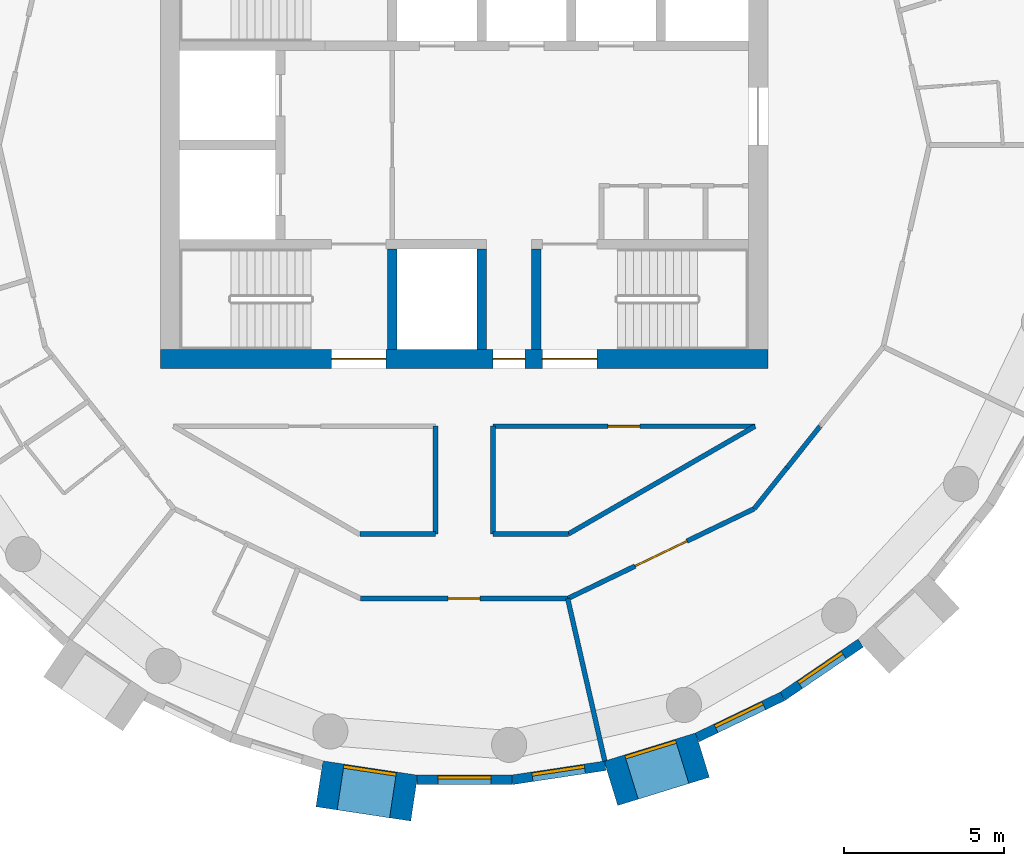
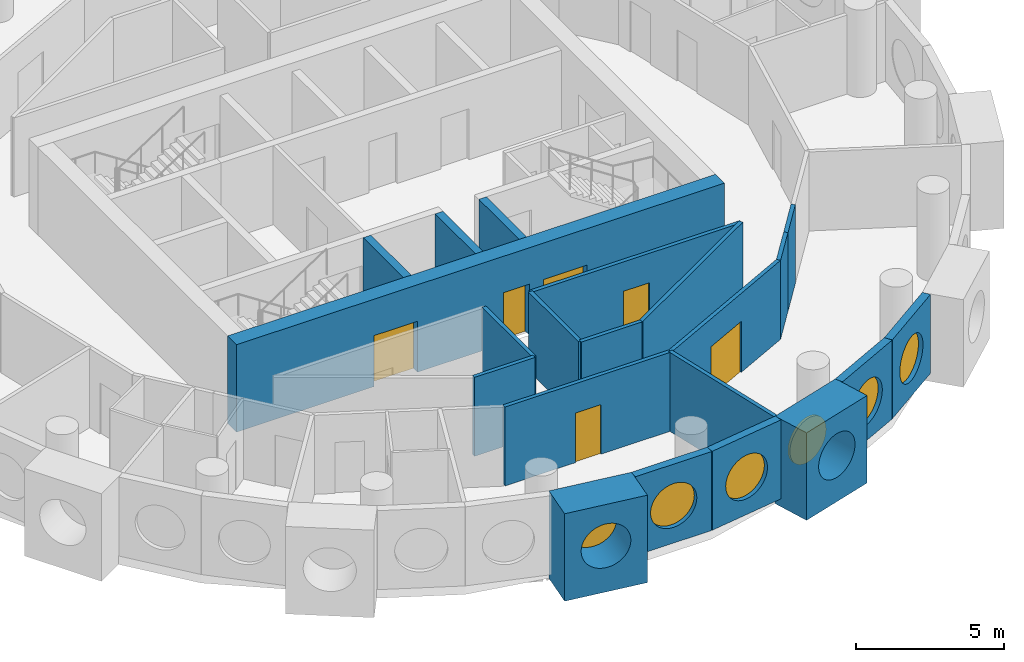
# One storey, part 4 of 13: 21 walls, 6 doors, 6 windows, 12 openings.
"""IFC4 building model written with IfcOpenShell, lengths in metres."""

from ifc_helpers import new_model, si_unit, direction, frame, frame_2d, origin, origin_2d, place, context, subcontext, project, spatial, rectangle, circle, extrude, material, layer, layer_set, type_object, element, fill, save


model = new_model("IFC4")

# Units and contexts
model_context = context("Model", 3, precision=1e-05, world=origin(), true_north=direction((0.0, 1.0)))
body_context = subcontext(model_context, "Body", "Model", "MODEL_VIEW")
ifc_project = project(units=[si_unit("LENGTHUNIT", "METRE"), si_unit("AREAUNIT", "SQUARE_METRE"), si_unit("VOLUMEUNIT", "CUBIC_METRE"), si_unit("PLANEANGLEUNIT", "RADIAN"), si_unit("MASSUNIT", "GRAM", prefix="KILO")], contexts=[model_context])

# Site, building, storey
site_placement = place(None, origin())
site = spatial("IfcSite", under=ifc_project, at=site_placement, CompositionType="ELEMENT")
building_placement = place(site_placement, origin())
building = spatial("IfcBuilding", under=site, at=building_placement, Name="Tracery Tower", CompositionType="ELEMENT")
storey_placement = place(building_placement, frame((0.0, 0.0, 256.199951171875)))
storey = spatial("IfcBuildingStorey", under=building, at=storey_placement, Name="L66", CompositionType="ELEMENT", Elevation=256.199951171875)

# Wall, openings, doors
ifc_material_1 = material(Name="Concrete C40/50", Category="concrete")
ifc_layer_1 = layer(ifc_material_1, 0.60009765625)
ifc_layer_set_1 = layer_set([ifc_layer_1], Name="Core wall 600 C40")
wall_type_1 = type_object("IfcWallType", Name="Core wall 600 C40", PredefinedType="SOLIDWALL", material=ifc_layer_set_1)
wall_1_placement = place(storey_placement, frame((-9.5, -6.699951171875, 0.0), z_axis=(0.0, 0.0, 1.0), x_axis=(1.0, 0.0, 0.0)))
wall_1 = element("IfcWall", 1, at=wall_1_placement, inside=storey, type_object=wall_type_1, Name="L66 outer S", PredefinedType="SOLIDWALL", context=body_context, shape_type="SweptSolid", body=[
    extrude(rectangle(XDim=19.0, YDim=0.60009765625, at=frame_2d((9.5, 0.0))), origin(), (0.0, 0.0, 1.0), 3.60009765625),
])
opening_1_placement = place(wall_1_placement, frame((10.39990234375, 0.0, 0.0)))
opening_1 = element("IfcOpeningElement", 2, at=opening_1_placement, cuts=wall_1, Name="Opening KD16", PredefinedType="OPENING", context=body_context, shape_type="SweptSolid", body=[
    extrude(rectangle(XDim=1.0, YDim=2.10009765625, at=frame_2d((0.5, 1.050048828125))), frame((0.0, 0.300048828125, 0.0), z_axis=(0.0, -1.0, 0.0), x_axis=(1.0, 0.0, 0.0)), (0.0, 0.0, 1.0), 0.60009765625),
])
opening_2_placement = place(wall_1_placement, frame((5.35009765625, 0.0, 0.0)))
opening_2 = element("IfcOpeningElement", 3, at=opening_2_placement, cuts=wall_1, Name="Opening KD3", PredefinedType="OPENING", context=body_context, shape_type="SweptSolid", body=[
    extrude(rectangle(XDim=1.699951171875, YDim=2.10009765625, at=frame_2d((0.85009765625, 1.050048828125))), frame((0.0, 0.300048828125, 0.0), z_axis=(0.0, -1.0, 0.0), x_axis=(1.0, 0.0, 0.0)), (0.0, 0.0, 1.0), 0.60009765625),
])
opening_3_placement = place(wall_1_placement, frame((11.949951171875, 0.0, 0.0)))
opening_3 = element("IfcOpeningElement", 4, at=opening_3_placement, cuts=wall_1, Name="Opening KD3", PredefinedType="OPENING", context=body_context, shape_type="SweptSolid", body=[
    extrude(rectangle(XDim=1.699951171875, YDim=2.10009765625, at=frame_2d((0.85009765625, 1.050048828125))), frame((0.0, 0.300048828125, 0.0), z_axis=(0.0, -1.0, 0.0), x_axis=(1.0, 0.0, 0.0)), (0.0, 0.0, 1.0), 0.60009765625),
])
ifc_material_2 = material(Name="Steel fire door", Category="steel")
door_type_1 = type_object("IfcDoorType", Name="Core exit door 1000", OperationType="NOTDEFINED", PredefinedType="DOOR", material=ifc_material_2)
door_1_placement = place(opening_1_placement, origin())
door_1 = element("IfcDoor", 5, at=door_1_placement, inside=storey, type_object=door_type_1, Name="Core exit door", OperationType="SINGLE_SWING_LEFT", OverallHeight=2.10009765625, OverallWidth=1.0, PredefinedType="DOOR", context=body_context, shape_type="SweptSolid", body=[
    extrude(rectangle(XDim=1.0, YDim=2.10009765625, at=frame_2d((0.5, 1.050048828125))), frame((0.0, 0.02490234375, 0.0), z_axis=(0.0, -1.0, 0.0), x_axis=(1.0, 0.0, 0.0)), (0.0, 0.0, 1.0), 0.050048828125),
])
fill(opening_1, door_1)
ifc_material_3 = material(Name="Steel fire door", Category="steel")
door_type_2 = type_object("IfcDoorType", Name="Core stair door 1700 double", OperationType="NOTDEFINED", PredefinedType="DOOR", material=ifc_material_3)
door_2_placement = place(opening_2_placement, origin())
door_2 = element("IfcDoor", 6, at=door_2_placement, inside=storey, type_object=door_type_2, Name="Stair door ST1 exit", OperationType="DOUBLE_DOOR_SINGLE_SWING", OverallHeight=2.10009765625, OverallWidth=1.699951171875, PredefinedType="DOOR", context=body_context, shape_type="SweptSolid", body=[
    extrude(rectangle(XDim=1.699951171875, YDim=2.10009765625, at=frame_2d((0.85009765625, 1.050048828125))), frame((0.0, 0.02490234375, 0.0), z_axis=(0.0, -1.0, 0.0), x_axis=(1.0, 0.0, 0.0)), (0.0, 0.0, 1.0), 0.050048828125),
])
fill(opening_2, door_2)
door_3_placement = place(opening_3_placement, origin())
door_3 = element("IfcDoor", 7, at=door_3_placement, inside=storey, type_object=door_type_2, Name="Stair door ST2 exit", OperationType="DOUBLE_DOOR_SINGLE_SWING", OverallHeight=2.10009765625, OverallWidth=1.699951171875, PredefinedType="DOOR", context=body_context, shape_type="SweptSolid", body=[
    extrude(rectangle(XDim=1.699951171875, YDim=2.10009765625, at=frame_2d((0.85009765625, 1.050048828125))), frame((0.0, 0.02490234375, 0.0), z_axis=(0.0, -1.0, 0.0), x_axis=(1.0, 0.0, 0.0)), (0.0, 0.0, 1.0), 0.050048828125),
])
fill(opening_3, door_3)

# Wall, opening, window
ifc_material_4 = material(Name="Precast concrete C50/60", Category="concrete")
ifc_layer_2 = layer(ifc_material_4, 1.449951171875)
ifc_layer_set_2 = layer_set([ifc_layer_2], Name="Deep-set bay unit 3000 x 3600, slab edge 350")
wall_type_2 = type_object("IfcWallType", Name="Deep-set bay unit 3000 x 3600, slab edge 350", PredefinedType="ELEMENTEDWALL", material=ifc_layer_set_2)
wall_2_placement = place(storey_placement, frame((-4.52978515625, -19.9892578125, -0.349853515625), z_axis=(0.0, 0.0, 1.0), x_axis=(0.988836445254, -0.149004981587, 0.0)))
wall_2 = element("IfcWall", 8, at=wall_2_placement, inside=storey, type_object=wall_type_2, Name="Deep-set bay unit 31 at L66", PredefinedType="ELEMENTEDWALL", context=body_context, shape_type="SweptSolid", body=[
    extrude(rectangle(XDim=3.0, YDim=1.449951171875, at=frame_2d((1.5, 0.0))), origin(), (0.0, 0.0, 1.0), 3.599853515625),
])
opening_4_placement = place(wall_2_placement, frame((1.5, 0.0, 1.89990234375)))
opening_4 = element("IfcOpeningElement", 9, at=opening_4_placement, cuts=wall_2, Name="Opening WN1", PredefinedType="OPENING", context=body_context, shape_type="SweptSolid", body=[
    extrude(circle(Radius=0.9000244140625, at=origin_2d()), frame((0.0, 0.73486328125, 0.0), z_axis=(0.0, -1.0, 0.0), x_axis=(1.0, 0.0, 0.0)), (0.0, 0.0, 1.0), 1.469970703125),
])
ifc_material_5 = material(Name="Aluminium frame with tinted double glazing", Category="aluminium")
window_type = type_object("IfcWindowType", Name="Round window 1800", PartitioningType="SINGLE_PANEL", PredefinedType="WINDOW", material=ifc_material_5)
window_1_placement = place(opening_4_placement, origin())
window_1 = element("IfcWindow", 10, at=window_1_placement, inside=storey, type_object=window_type, Name="Round window 31 at L66", OverallHeight=1.800048828125, OverallWidth=1.800048828125, PartitioningType="SINGLE_PANEL", PredefinedType="WINDOW", context=body_context, shape_type="SweptSolid", body=[
    extrude(circle(Radius=0.9000244140625, at=origin_2d()), frame((0.0, 0.69482421875, 0.0), z_axis=(0.0, -1.0, 0.0), x_axis=(1.0, 0.0, 0.0)), (0.0, 0.0, 1.0), 0.10009765625),
])
fill(opening_4, window_1)

wall_3_placement = place(storey_placement, frame((4.591796875, -19.97509765625, -0.349853515625), z_axis=(0.0, 0.0, 1.0), x_axis=(0.955571139978, 0.294760574774, 0.0)))
wall_3 = element("IfcWall", 11, at=wall_3_placement, inside=storey, type_object=wall_type_2, Name="Deep-set bay unit 34 at L66", PredefinedType="ELEMENTEDWALL", context=body_context, shape_type="SweptSolid", body=[
    extrude(rectangle(XDim=3.0, YDim=1.449951171875, at=frame_2d((1.5, 0.0))), origin(), (0.0, 0.0, 1.0), 3.599853515625),
])
opening_5_placement = place(wall_3_placement, frame((1.5, 0.0, 1.89990234375)))
opening_5 = element("IfcOpeningElement", 12, at=opening_5_placement, cuts=wall_3, Name="Opening WN1", PredefinedType="OPENING", context=body_context, shape_type="SweptSolid", body=[
    extrude(circle(Radius=0.9000244140625, at=origin_2d()), frame((0.0, 0.73486328125, 0.0), z_axis=(0.0, -1.0, 0.0), x_axis=(1.0, 0.0, 0.0)), (0.0, 0.0, 1.0), 1.469970703125),
])
window_2_placement = place(opening_5_placement, origin())
window_2 = element("IfcWindow", 13, at=window_2_placement, inside=storey, type_object=window_type, Name="Round window 34 at L66", OverallHeight=1.800048828125, OverallWidth=1.800048828125, PartitioningType="SINGLE_PANEL", PredefinedType="WINDOW", context=body_context, shape_type="SweptSolid", body=[
    extrude(circle(Radius=0.9000244140625, at=origin_2d()), frame((0.0, 0.69482421875, 0.0), z_axis=(0.0, -1.0, 0.0), x_axis=(1.0, 0.0, 0.0)), (0.0, 0.0, 1.0), 0.10009765625),
])
fill(opening_5, window_2)

ifc_material_6 = material(Name="Precast concrete C50/60", Category="concrete")
ifc_layer_3 = layer(ifc_material_6, 0.300048828125)
ifc_layer_set_3 = layer_set([ifc_layer_3], Name="Facade panel 3000 x 3250")
wall_type_3 = type_object("IfcWallType", Name="Facade panel 3000 x 3250", PredefinedType="SOLIDWALL", material=ifc_layer_set_3)
wall_4_placement = place(storey_placement, frame((-1.473388671875, -19.865966796875, 0.0), z_axis=(0.0, 0.0, 1.0), x_axis=(1.0, 0.0, 0.0)))
wall_4 = element("IfcWall", 14, at=wall_4_placement, inside=storey, type_object=wall_type_3, Name="Facade panel 32 at L66", PredefinedType="SOLIDWALL", context=body_context, shape_type="SweptSolid", body=[
    extrude(rectangle(XDim=2.962158203125, YDim=0.300048828125, at=frame_2d((1.48095703125, 0.0))), origin(), (0.0, 0.0, 1.0), 3.25),
])
opening_6_placement = place(wall_4_placement, frame((1.48095703125, 0.0, 1.5498046875)))
opening_6 = element("IfcOpeningElement", 15, at=opening_6_placement, cuts=wall_4, Name="Opening WN1", PredefinedType="OPENING", context=body_context, shape_type="SweptSolid", body=[
    extrude(circle(Radius=0.9000244140625, at=origin_2d()), frame((0.0, 0.159912109375, 0.0), z_axis=(0.0, -1.0, 0.0), x_axis=(1.0, 0.0, 0.0)), (0.0, 0.0, 1.0), 0.320068359375),
])
window_3_placement = place(opening_6_placement, origin())
window_3 = element("IfcWindow", 16, at=window_3_placement, inside=storey, type_object=window_type, Name="Round window 32 at L66", OverallHeight=1.800048828125, OverallWidth=1.800048828125, PartitioningType="SINGLE_PANEL", PredefinedType="WINDOW", context=body_context, shape_type="SweptSolid", body=[
    extrude(circle(Radius=0.9000244140625, at=origin_2d()), frame((0.0, 0.1201171875, 0.0), z_axis=(0.0, -1.0, 0.0), x_axis=(1.0, 0.0, 0.0)), (0.0, 0.0, 1.0), 0.10009765625),
])
fill(opening_6, window_3)

wall_5_placement = place(storey_placement, frame((1.48876953125, -19.865966796875, 0.0), z_axis=(0.0, 0.0, 1.0), x_axis=(0.988835775663, 0.149009425104, 0.0)))
wall_5 = element("IfcWall", 17, at=wall_5_placement, inside=storey, type_object=wall_type_3, Name="Facade panel 33 at L66", PredefinedType="SOLIDWALL", context=body_context, shape_type="SweptSolid", body=[
    extrude(rectangle(XDim=2.962158203125, YDim=0.300048828125, at=frame_2d((1.48095703125, 0.0))), origin(), (0.0, 0.0, 1.0), 3.25),
])
opening_7_placement = place(wall_5_placement, frame((1.48095703125, 0.0, 1.5498046875)))
opening_7 = element("IfcOpeningElement", 18, at=opening_7_placement, cuts=wall_5, Name="Opening WN1", PredefinedType="OPENING", context=body_context, shape_type="SweptSolid", body=[
    extrude(circle(Radius=0.9000244140625, at=origin_2d()), frame((0.0, 0.159912109375, 0.0), z_axis=(0.0, -1.0, 0.0), x_axis=(1.0, 0.0, 0.0)), (0.0, 0.0, 1.0), 0.320068359375),
])
window_4_placement = place(opening_7_placement, origin())
window_4 = element("IfcWindow", 19, at=window_4_placement, inside=storey, type_object=window_type, Name="Round window 33 at L66", OverallHeight=1.800048828125, OverallWidth=1.800048828125, PartitioningType="SINGLE_PANEL", PredefinedType="WINDOW", context=body_context, shape_type="SweptSolid", body=[
    extrude(circle(Radius=0.9000244140625, at=origin_2d()), frame((0.0, 0.1201171875, 0.0), z_axis=(0.0, -1.0, 0.0), x_axis=(1.0, 0.0, 0.0)), (0.0, 0.0, 1.0), 0.10009765625),
])
fill(opening_7, window_4)

wall_6_placement = place(storey_placement, frame((7.2919921875, -18.5380859375, 0.0), z_axis=(0.0, 0.0, 1.0), x_axis=(0.90095513435, 0.433912255978, 0.0)))
wall_6 = element("IfcWall", 20, at=wall_6_placement, inside=storey, type_object=wall_type_3, Name="Facade panel 35 at L66", PredefinedType="SOLIDWALL", context=body_context, shape_type="SweptSolid", body=[
    extrude(rectangle(XDim=2.96240234375, YDim=0.300048828125, at=frame_2d((1.481201171875, 0.0))), origin(), (0.0, 0.0, 1.0), 3.25),
])
opening_8_placement = place(wall_6_placement, frame((1.48095703125, 0.0, 1.5498046875)))
opening_8 = element("IfcOpeningElement", 21, at=opening_8_placement, cuts=wall_6, Name="Opening WN1", PredefinedType="OPENING", context=body_context, shape_type="SweptSolid", body=[
    extrude(circle(Radius=0.9000244140625, at=origin_2d()), frame((0.0, 0.159912109375, 0.0), z_axis=(0.0, -1.0, 0.0), x_axis=(1.0, 0.0, 0.0)), (0.0, 0.0, 1.0), 0.320068359375),
])
window_5_placement = place(opening_8_placement, origin())
window_5 = element("IfcWindow", 22, at=window_5_placement, inside=storey, type_object=window_type, Name="Round window 35 at L66", OverallHeight=1.800048828125, OverallWidth=1.800048828125, PartitioningType="SINGLE_PANEL", PredefinedType="WINDOW", context=body_context, shape_type="SweptSolid", body=[
    extrude(circle(Radius=0.9000244140625, at=origin_2d()), frame((0.0, 0.1201171875, 0.0), z_axis=(0.0, -1.0, 0.0), x_axis=(1.0, 0.0, 0.0)), (0.0, 0.0, 1.0), 0.10009765625),
])
fill(opening_8, window_5)

wall_7_placement = place(storey_placement, frame((9.9609375, -17.252685546875, 0.0), z_axis=(0.0, 0.0, 1.0), x_axis=(0.826236061068, 0.563324037646, 0.0)))
wall_7 = element("IfcWall", 23, at=wall_7_placement, inside=storey, type_object=wall_type_3, Name="Facade panel 36 at L66", PredefinedType="SOLIDWALL", context=body_context, shape_type="SweptSolid", body=[
    extrude(rectangle(XDim=2.962158203125, YDim=0.300048828125, at=frame_2d((1.48095703125, 0.0))), origin(), (0.0, 0.0, 1.0), 3.25),
])
opening_9_placement = place(wall_7_placement, frame((1.48095703125, 0.0, 1.5498046875)))
opening_9 = element("IfcOpeningElement", 24, at=opening_9_placement, cuts=wall_7, Name="Opening WN1", PredefinedType="OPENING", context=body_context, shape_type="SweptSolid", body=[
    extrude(circle(Radius=0.9000244140625, at=origin_2d()), frame((0.0, 0.159912109375, 0.0), z_axis=(0.0, -1.0, 0.0), x_axis=(1.0, 0.0, 0.0)), (0.0, 0.0, 1.0), 0.320068359375),
])
window_6_placement = place(opening_9_placement, origin())
window_6 = element("IfcWindow", 25, at=window_6_placement, inside=storey, type_object=window_type, Name="Round window 36 at L66", OverallHeight=1.800048828125, OverallWidth=1.800048828125, PartitioningType="SINGLE_PANEL", PredefinedType="WINDOW", context=body_context, shape_type="SweptSolid", body=[
    extrude(circle(Radius=0.9000244140625, at=origin_2d()), frame((0.0, 0.1201171875, 0.0), z_axis=(0.0, -1.0, 0.0), x_axis=(1.0, 0.0, 0.0)), (0.0, 0.0, 1.0), 0.10009765625),
])
fill(opening_9, window_6)

# Wall
ifc_material_7 = material(Name="Plasterboard on steel studs", Category="steel")
ifc_layer_4 = layer(ifc_material_7, 0.14990234375)
ifc_layer_set_4 = layer_set([ifc_layer_4], Name="Partition 150 acoustic unit wall")
wall_type_4 = type_object("IfcWallType", Name="Partition 150 acoustic unit wall", PredefinedType="PARTITIONING", material=ifc_layer_set_4)
wall_8_placement = place(storey_placement, frame((3.239013671875, -14.19189453125, 0.0), z_axis=(0.0, 0.0, 1.0), x_axis=(0.222612505682, -0.974907007008, 0.0)))
element("IfcWall", 26, at=wall_8_placement, inside=storey, type_object=wall_type_4, Name="Unit wall RC3-080", PredefinedType="PARTITIONING", context=body_context, shape_type="SweptSolid", body=[
    extrude(rectangle(XDim=5.21484375, YDim=0.14990234375, at=frame_2d((2.607421875, 0.0))), origin(), (0.0, 0.0, 1.0), 3.25),
])

# Wall, opening, door
ifc_material_8 = material(Name="Plasterboard on steel studs", Category="steel")
ifc_layer_5 = layer(ifc_material_8, 0.14990234375)
ifc_layer_set_5 = layer_set([ifc_layer_5], Name="Partition 150 corridor wall")
wall_type_5 = type_object("IfcWallType", Name="Partition 150 corridor wall", PredefinedType="PARTITIONING", material=ifc_layer_set_5)
wall_9_placement = place(storey_placement, frame((0.89599609375, -8.800048828125, 0.0), z_axis=(0.0, 0.0, 1.0), x_axis=(1.0, 0.0, 0.0)))
wall_9 = element("IfcWall", 27, at=wall_9_placement, inside=storey, type_object=wall_type_5, Name="Corridor wall RC3-014", PredefinedType="PARTITIONING", context=body_context, shape_type="SweptSolid", body=[
    extrude(rectangle(XDim=8.20458984375, YDim=0.14990234375, at=frame_2d((4.102294921875, 0.0))), origin(), (0.0, 0.0, 1.0), 3.25),
])
opening_10_placement = place(wall_9_placement, frame((3.597900390625, 0.0, 0.0)))
opening_10 = element("IfcOpeningElement", 28, at=opening_10_placement, cuts=wall_9, Name="Opening RC3-04", PredefinedType="OPENING", context=body_context, shape_type="SweptSolid", body=[
    extrude(rectangle(XDim=1.0, YDim=2.0400390625, at=frame_2d((0.5, 1.02001953125))), frame((0.0, 0.074951171875, 0.0), z_axis=(0.0, -1.0, 0.0), x_axis=(1.0, 0.0, 0.0)), (0.0, 0.0, 1.0), 0.14990234375),
])
ifc_material_9 = material(Name="Timber door leaf", Category="wood")
door_type_3 = type_object("IfcDoorType", Name="Door communal room 1000", OperationType="NOTDEFINED", PredefinedType="DOOR", material=ifc_material_9)
door_4_placement = place(opening_10_placement, origin())
door_4 = element("IfcDoor", 29, at=door_4_placement, inside=storey, type_object=door_type_3, Name="Communal room door RC3-04", OperationType="SINGLE_SWING_RIGHT", OverallHeight=2.0400390625, OverallWidth=1.0, PredefinedType="DOOR", context=body_context, shape_type="SweptSolid", body=[
    extrude(rectangle(XDim=1.0, YDim=2.0400390625, at=frame_2d((0.5, 1.02001953125))), frame((0.0, 0.02490234375, 0.0), z_axis=(0.0, -1.0, 0.0), x_axis=(1.0, 0.0, 0.0)), (0.0, 0.0, 1.0), 0.050048828125),
])
fill(opening_10, door_4)

# Walls
wall_10_placement = place(storey_placement, frame((10.10107421875, -10.10107421875, 0.0), z_axis=(0.0, 0.0, 1.0), x_axis=(0.623098344652, 0.782143498913, 0.0)))
element("IfcWall", 30, at=wall_10_placement, inside=storey, type_object=wall_type_5, Name="Corridor wall RC3-020", PredefinedType="PARTITIONING", context=body_context, shape_type="SweptSolid", body=[
    extrude(rectangle(XDim=1.660888671875, YDim=0.14990234375, at=frame_2d((0.83056640625, 0.0))), origin(), (0.0, 0.0, 1.0), 3.25),
])
wall_11_placement = place(storey_placement, frame((-3.260986328125, -12.1708984375, 0.0), z_axis=(0.0, 0.0, 1.0), x_axis=(1.0, 0.0, 0.0)))
element("IfcWall", 31, at=wall_11_placement, inside=storey, type_object=wall_type_5, Name="Corridor wall RC3-038", PredefinedType="PARTITIONING", context=body_context, shape_type="SweptSolid", body=[
    extrude(rectangle(XDim=2.361083984375, YDim=0.14990234375, at=frame_2d((1.1806640625, 0.0))), origin(), (0.0, 0.0, 1.0), 3.25),
])
for number, where, z_axis, x_axis, name in (
    (32, (-0.89990234375, -12.1708984375, 0.0), (0.0, 0.0, 1.0), (0.0, 1.0, 0.0), "Corridor wall RC3-039"),
    (33, (0.89990234375, -12.1708984375, 0.0), (0.0, 0.0, 1.0), (0.0, 1.0, 0.0), "Corridor wall RC3-040"),
):
    element("IfcWall", number, at=place(storey_placement, frame(where, z_axis=z_axis, x_axis=x_axis)), inside=storey, type_object=wall_type_5, Name=name, PredefinedType="PARTITIONING", context=body_context, shape_type="SweptSolid", body=[
        extrude(rectangle(XDim=3.370849609375, YDim=0.14990234375, at=frame_2d((1.685546875, 0.0))), origin(), (0.0, 0.0, 1.0), 3.25),
    ])
wall_12_placement = place(storey_placement, frame((0.89990234375, -12.1708984375, 0.0), z_axis=(0.0, 0.0, 1.0), x_axis=(1.0, 0.0, 0.0)))
element("IfcWall", 34, at=wall_12_placement, inside=storey, type_object=wall_type_5, Name="Corridor wall RC3-041", PredefinedType="PARTITIONING", context=body_context, shape_type="SweptSolid", body=[
    extrude(rectangle(XDim=2.361083984375, YDim=0.14990234375, at=frame_2d((1.1806640625, 0.0))), origin(), (0.0, 0.0, 1.0), 3.25),
])
wall_13_placement = place(storey_placement, frame((3.260986328125, -12.1708984375, 0.0), z_axis=(0.0, 0.0, 1.0), x_axis=(0.866066809554, 0.499928276245, 0.0)))
element("IfcWall", 35, at=wall_13_placement, inside=storey, type_object=wall_type_5, Name="Corridor wall RC3-042", PredefinedType="PARTITIONING", context=body_context, shape_type="SweptSolid", body=[
    extrude(rectangle(XDim=6.74267578125, YDim=0.14990234375, at=frame_2d((3.371337890625, 0.0))), origin(), (0.0, 0.0, 1.0), 3.25),
])

# Wall, opening, door
wall_14_placement = place(storey_placement, frame((-3.239013671875, -14.19189453125, 0.0), z_axis=(0.0, 0.0, 1.0), x_axis=(1.0, 0.0, 0.0)))
wall_14 = element("IfcWall", 36, at=wall_14_placement, inside=storey, type_object=wall_type_5, Name="Corridor wall RC3-044", PredefinedType="PARTITIONING", context=body_context, shape_type="SweptSolid", body=[
    extrude(rectangle(XDim=6.47802734375, YDim=0.14990234375, at=frame_2d((3.239013671875, 0.0))), origin(), (0.0, 0.0, 1.0), 3.25),
])
opening_11_placement = place(wall_14_placement, frame((2.739013671875, 0.0, 0.0)))
opening_11 = element("IfcOpeningElement", 37, at=opening_11_placement, cuts=wall_14, Name="Opening RC3-24", PredefinedType="OPENING", context=body_context, shape_type="SweptSolid", body=[
    extrude(rectangle(XDim=1.0, YDim=2.0400390625, at=frame_2d((0.5, 1.02001953125))), frame((0.0, 0.074951171875, 0.0), z_axis=(0.0, -1.0, 0.0), x_axis=(1.0, 0.0, 0.0)), (0.0, 0.0, 1.0), 0.14990234375),
])
door_5_placement = place(opening_11_placement, origin())
door_5 = element("IfcDoor", 38, at=door_5_placement, inside=storey, type_object=door_type_3, Name="Communal room door RC3-24", OperationType="SINGLE_SWING_RIGHT", OverallHeight=2.0400390625, OverallWidth=1.0, PredefinedType="DOOR", context=body_context, shape_type="SweptSolid", body=[
    extrude(rectangle(XDim=1.0, YDim=2.0400390625, at=frame_2d((0.5, 1.02001953125))), frame((0.0, 0.02490234375, 0.0), z_axis=(0.0, -1.0, 0.0), x_axis=(1.0, 0.0, 0.0)), (0.0, 0.0, 1.0), 0.050048828125),
])
fill(opening_11, door_5)

# Wall
wall_15_placement = place(storey_placement, frame((9.075927734375, -11.381103515625, 0.0), z_axis=(0.0, 0.0, 1.0), x_axis=(0.623805208652, 0.781579849829, 0.0)))
element("IfcWall", 39, at=wall_15_placement, inside=storey, type_object=wall_type_5, Name="Corridor wall RC3-045", PredefinedType="PARTITIONING", context=body_context, shape_type="SweptSolid", body=[
    extrude(rectangle(XDim=1.64013671875, YDim=0.14990234375, at=frame_2d((0.820068359375, 0.0))), origin(), (0.0, 0.0, 1.0), 3.25),
])

# Wall, opening, door
wall_16_placement = place(storey_placement, frame((3.239013671875, -14.19189453125, 0.0), z_axis=(0.0, 0.0, 1.0), x_axis=(0.900976027191, 0.433868872388, 0.0)))
wall_16 = element("IfcWall", 40, at=wall_16_placement, inside=storey, type_object=wall_type_5, Name="Corridor wall RC3-046", PredefinedType="PARTITIONING", context=body_context, shape_type="SweptSolid", body=[
    extrude(rectangle(XDim=6.478515625, YDim=0.14990234375, at=frame_2d((3.2392578125, 0.0))), origin(), (0.0, 0.0, 1.0), 3.25),
])
opening_12_placement = place(wall_16_placement, frame((2.339599609375, 0.0, 0.0)))
opening_12 = element("IfcOpeningElement", 41, at=opening_12_placement, cuts=wall_16, Name="Opening RC3-25", PredefinedType="OPENING", context=body_context, shape_type="SweptSolid", body=[
    extrude(rectangle(XDim=1.800048828125, YDim=2.10009765625, at=frame_2d((0.89990234375, 1.050048828125))), frame((0.0, 0.074951171875, 0.0), z_axis=(0.0, -1.0, 0.0), x_axis=(1.0, 0.0, 0.0)), (0.0, 0.0, 1.0), 0.14990234375),
])
ifc_material_10 = material(Name="Timber door leaf", Category="wood")
door_type_4 = type_object("IfcDoorType", Name="Door double lounge 1800", OperationType="NOTDEFINED", PredefinedType="DOOR", material=ifc_material_10)
door_6_placement = place(opening_12_placement, origin())
door_6 = element("IfcDoor", 42, at=door_6_placement, inside=storey, type_object=door_type_4, Name="Double lounge door RC3-25", OperationType="DOUBLE_DOOR_SINGLE_SWING", OverallHeight=2.10009765625, OverallWidth=1.800048828125, PredefinedType="DOOR", context=body_context, shape_type="SweptSolid", body=[
    extrude(rectangle(XDim=1.800048828125, YDim=2.10009765625, at=frame_2d((0.89990234375, 1.050048828125))), frame((0.0, 0.02490234375, 0.0), z_axis=(0.0, -1.0, 0.0), x_axis=(1.0, 0.0, 0.0)), (0.0, 0.0, 1.0), 0.050048828125),
])
fill(opening_12, door_6)

# Walls
ifc_material_11 = material(Name="Concrete C40/50", Category="concrete")
ifc_layer_6 = layer(ifc_material_11, 0.300048828125)
ifc_layer_set_6 = layer_set([ifc_layer_6], Name="Shaft wall 300 C40")
wall_type_6 = type_object("IfcWallType", Name="Shaft wall 300 C40", PredefinedType="SOLIDWALL", material=ifc_layer_set_6)
wall_17_placement = place(storey_placement, frame((0.550048828125, -6.39990234375, 0.0), z_axis=(0.0, 0.0, 1.0), x_axis=(0.0, 1.0, 0.0)))
element("IfcWall", 43, at=wall_17_placement, inside=storey, type_object=wall_type_6, Name="L66 OB2 E", PredefinedType="SOLIDWALL", context=body_context, shape_type="SweptSolid", body=[
    extrude(rectangle(XDim=3.14990234375, YDim=0.300048828125, at=frame_2d((1.574951171875, 0.0))), origin(), (0.0, 0.0, 1.0), 3.25),
])
ifc_material_12 = material(Name="Concrete C40/50", Category="concrete")
ifc_layer_7 = layer(ifc_material_12, 0.300048828125)
ifc_layer_set_7 = layer_set([ifc_layer_7], Name="Stair wall 300 C40")
wall_type_7 = type_object("IfcWallType", Name="Stair wall 300 C40", PredefinedType="SOLIDWALL", material=ifc_layer_set_7)
for number, where, z_axis, x_axis, name in (
    (44, (-2.25, -6.39990234375, 0.0), (0.0, 0.0, 1.0), (0.0, 1.0, 0.0), "L66 ST1 E"),
    (45, (2.25, -6.39990234375, 0.0), (0.0, 0.0, 1.0), (0.0, 1.0, 0.0), "L66 ST2 W"),
):
    element("IfcWall", number, at=place(storey_placement, frame(where, z_axis=z_axis, x_axis=x_axis)), inside=storey, type_object=wall_type_7, Name=name, PredefinedType="SOLIDWALL", context=body_context, shape_type="SweptSolid", body=[
        extrude(rectangle(XDim=3.14990234375, YDim=0.300048828125, at=frame_2d((1.574951171875, 0.0))), origin(), (0.0, 0.0, 1.0), 3.25),
    ])

save(model, "model.ifc")
